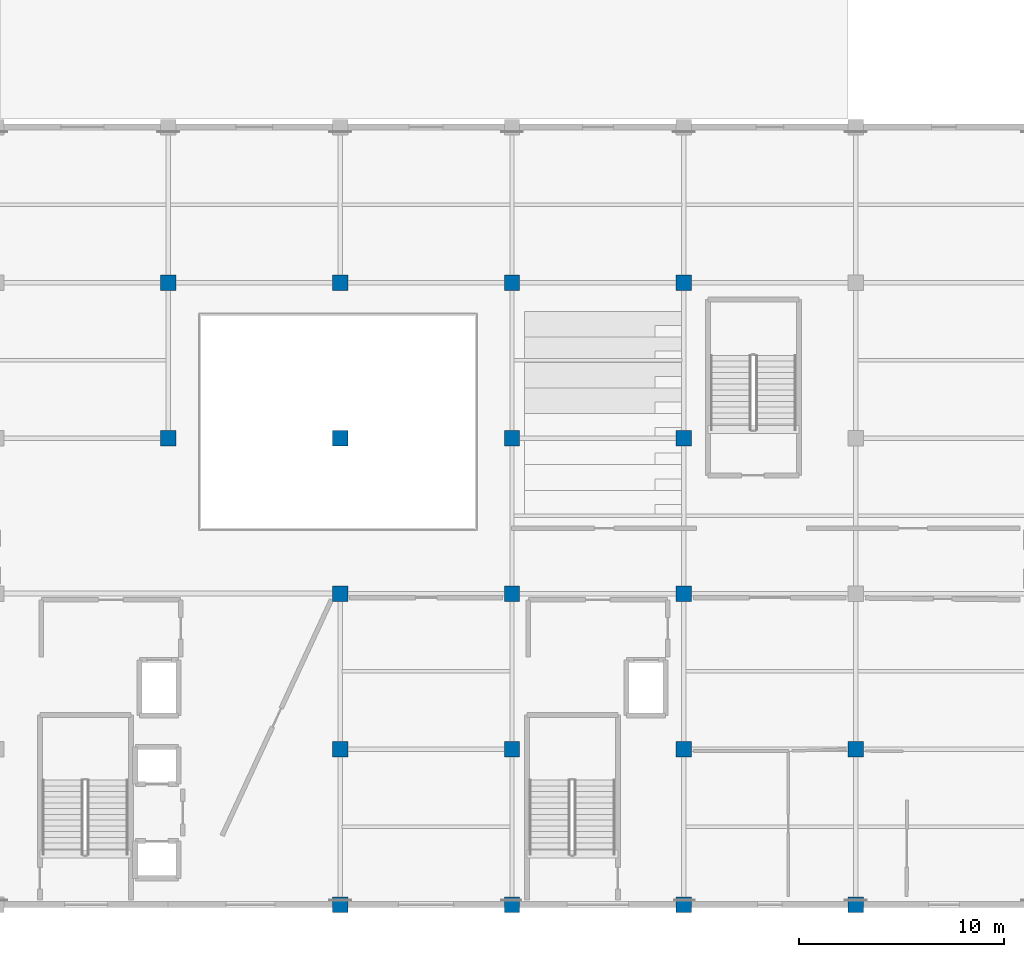
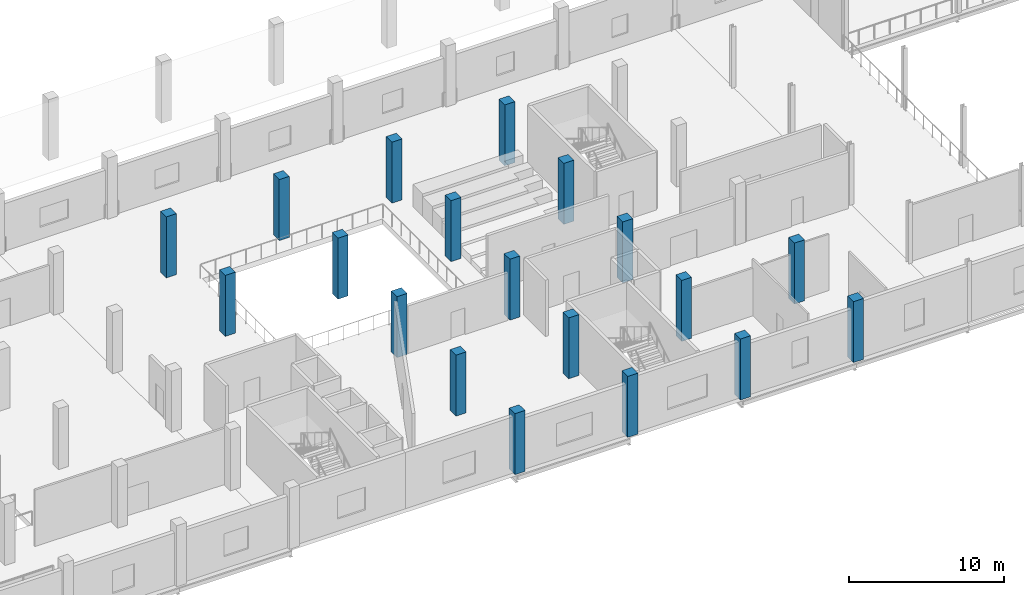
# One storey, part 3 of 51: 19 columns.
"""IFC4 building model written with IfcOpenShell, lengths in metres."""

from ifc_helpers import new_model, si_unit, direction, frame, origin, origin_2d, place, context, subcontext, project, spatial, rectangle, extrude, material, material_profile, profile_set, type_object, element, save


model = new_model("IFC4")

# Units and contexts
model_context = context("Model", 3, precision=1e-05, world=origin(), true_north=direction((0.0, 1.0)))
body_context = subcontext(model_context, "Body", "Model", "MODEL_VIEW")
ifc_project = project(units=[si_unit("LENGTHUNIT", "METRE"), si_unit("AREAUNIT", "SQUARE_METRE"), si_unit("VOLUMEUNIT", "CUBIC_METRE"), si_unit("PLANEANGLEUNIT", "RADIAN"), si_unit("MASSUNIT", "GRAM", prefix="KILO")], contexts=[model_context])

# Site, building, storey
site_placement = place(None, origin())
site = spatial("IfcSite", under=ifc_project, at=site_placement, CompositionType="ELEMENT")
building_placement = place(site_placement, origin())
building = spatial("IfcBuilding", under=site, at=building_placement, Name="Zuvorla Pavilion Media Centre", CompositionType="ELEMENT")
storey_placement = place(building_placement, frame((0.0, 0.0, 4.800048828125)))
storey = spatial("IfcBuildingStorey", under=building, at=storey_placement, Name="L01", CompositionType="ELEMENT", Elevation=4.800048828125)

# Columns
ifc_material = material(Name="Concrete C40/50", Category="concrete")
ifc_material_profile = material_profile(ifc_material, rectangle(XDim=0.75, YDim=0.75, at=origin_2d()), Name="RC 750x750")
ifc_profile_set = profile_set([ifc_material_profile], Name="Concrete C40/50")
column_type = type_object("IfcColumnType", Name="COL-RC750", PredefinedType="COLUMN", material=ifc_profile_set)
for number, where, z_axis, x_axis, name in (
    (1, (83.60009765625, 6.0, 0.0), (0.0, 0.0, 1.0), (1.0, 0.0, 0.0), "L01 column C02 35"),
    (2, (92.0, 6.0, 0.0), (0.0, 0.0, 1.0), (1.0, 0.0, 0.0), "L01 column C02 43"),
    (3, (100.39990234375, 6.0, 0.0), (0.0, 0.0, 1.0), (1.0, 0.0, 0.0), "L01 column C02 51"),
    (4, (108.800048828125, 6.0, 0.0), (0.0, 0.0, 1.0), (1.0, 0.0, 0.0), "L01 column C02 59"),
    (5, (83.60009765625, 13.60009765625, 0.0), (0.0, 0.0, 1.0), (1.0, 0.0, 0.0), "L01 column C02 133"),
    (6, (92.0, 13.60009765625, 0.0), (0.0, 0.0, 1.0), (1.0, 0.0, 0.0), "L01 column C02 141"),
    (7, (100.39990234375, 13.60009765625, 0.0), (0.0, 0.0, 1.0), (1.0, 0.0, 0.0), "L01 column C02 149"),
    (8, (108.800048828125, 13.60009765625, 0.0), (0.0, 0.0, 1.0), (1.0, 0.0, 0.0), "L01 column C02 157"),
    (9, (83.60009765625, 21.199951171875, 0.0), (0.0, 0.0, 1.0), (1.0, 0.0, 0.0), "L01 column C02 234"),
    (10, (92.0, 21.199951171875, 0.0), (0.0, 0.0, 1.0), (1.0, 0.0, 0.0), "L01 column C02 242"),
    (11, (100.39990234375, 21.199951171875, 0.0), (0.0, 0.0, 1.0), (1.0, 0.0, 0.0), "L01 column C02 250"),
    (12, (75.199951171875, 28.800048828125, 0.0), (0.0, 0.0, 1.0), (1.0, 0.0, 0.0), "L01 column C02 321"),
    (13, (83.60009765625, 28.800048828125, 0.0), (0.0, 0.0, 1.0), (1.0, 0.0, 0.0), "L01 column C02 329"),
    (14, (92.0, 28.800048828125, 0.0), (0.0, 0.0, 1.0), (1.0, 0.0, 0.0), "L01 column C02 337"),
    (15, (100.39990234375, 28.800048828125, 0.0), (0.0, 0.0, 1.0), (1.0, 0.0, 0.0), "L01 column C02 345"),
    (16, (75.199951171875, 36.39990234375, 0.0), (0.0, 0.0, 1.0), (1.0, 0.0, 0.0), "L01 column C02 411"),
    (17, (83.60009765625, 36.39990234375, 0.0), (0.0, 0.0, 1.0), (1.0, 0.0, 0.0), "L01 column C02 419"),
    (18, (92.0, 36.39990234375, 0.0), (0.0, 0.0, 1.0), (1.0, 0.0, 0.0), "L01 column C02 427"),
    (19, (100.39990234375, 36.39990234375, 0.0), (0.0, 0.0, 1.0), (1.0, 0.0, 0.0), "L01 column C02 435"),
):
    element("IfcColumn", number, at=place(storey_placement, frame(where, z_axis=z_axis, x_axis=x_axis)), inside=storey, type_object=column_type, Name=name, PredefinedType="COLUMN", context=body_context, shape_type="SweptSolid", body=[
        extrude(rectangle(XDim=0.75, YDim=0.75, at=origin_2d()), origin(), (0.0, 0.0, 1.0), 4.800048828125),
    ])

save(model, "model.ifc")
